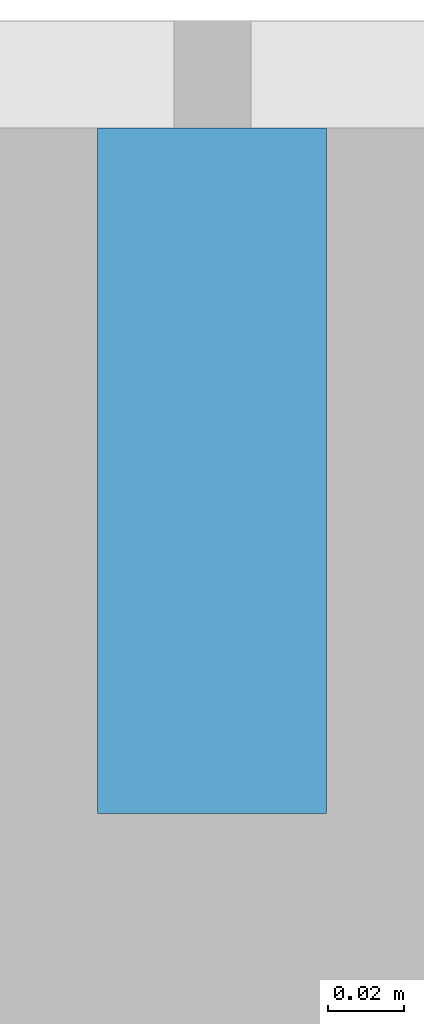
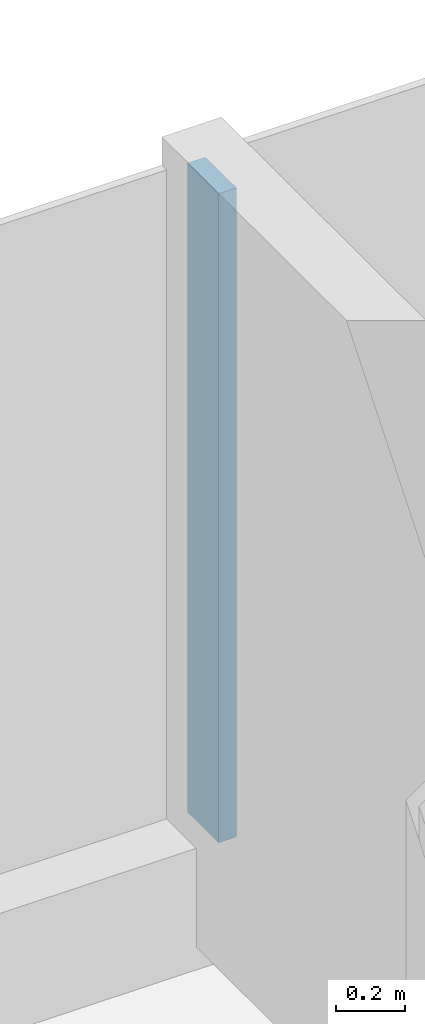
# One storey, part 8 of 26: 1 member, 1 element without a shape of its own.
"""IFC4 building model written with IfcOpenShell, lengths in metres."""

from ifc_helpers import new_model, si_unit, direction, frame, origin, origin_2d, place, context, subcontext, project, spatial, rectangle, extrude, material, layer, layer_set, material_profile, profile_set, type_object, element, aggregate, save


model = new_model("IFC4")

# Units and contexts
model_context = context("Model", 3, precision=1e-05, world=origin(), true_north=direction((0.0, 1.0)))
body_context = subcontext(model_context, "Body", "Model", "MODEL_VIEW")
ifc_project = project(units=[si_unit("LENGTHUNIT", "METRE"), si_unit("AREAUNIT", "SQUARE_METRE"), si_unit("VOLUMEUNIT", "CUBIC_METRE"), si_unit("PLANEANGLEUNIT", "RADIAN"), si_unit("MASSUNIT", "GRAM", prefix="KILO")], contexts=[model_context])

# Site, building, storey
site_placement = place(None, origin())
site = spatial("IfcSite", under=ifc_project, at=site_placement, CompositionType="ELEMENT")
building_placement = place(site_placement, origin())
building = spatial("IfcBuilding", under=site, at=building_placement, Name="Hakoniwa Tower and Hamabe Station Hall", CompositionType="ELEMENT")
storey_placement = place(building_placement, frame((0.0, 0.0, 143.800048828125)))
storey = spatial("IfcBuildingStorey", under=building, at=storey_placement, Name="L40", CompositionType="ELEMENT", Elevation=143.800048828125)

# Curtain wall, member
ifc_material_1 = material(Name="Dark low-e laminated glass", Category="glass")
ifc_layer = layer(ifc_material_1, 0.199951171875)
ifc_layer_set = layer_set([ifc_layer], Name="CW-1 UNITISED GUEST")
curtain_wall_type = type_object("IfcCurtainWallType", Name="CW-1 UNITISED GUEST", PredefinedType="NOTDEFINED", material=ifc_layer_set)
curtain_wall_placement = place(storey_placement, origin())
curtain_wall = element("IfcCurtainWall", 1, at=curtain_wall_placement, inside=storey, type_object=curtain_wall_type, Name="CW-1 curtain wall", PredefinedType="NOTDEFINED")
ifc_material_2 = material(Name="Aluminium 6063-T5 black anodised", Category="aluminium")
ifc_material_profile = material_profile(ifc_material_2, rectangle(XDim=0.06005859375, YDim=0.179931640625, at=origin_2d()), Name="CW-1 MULLION 60X180")
ifc_profile_set = profile_set([ifc_material_profile], Name="Aluminium 6063-T5 black anodised")
member_type = type_object("IfcMemberType", Name="CW-1 MULLION 60X180", PredefinedType="MULLION", material=ifc_profile_set)
member_placement = place(storey_placement, frame((8.39990234375, 18.181884765625, 0.349853515625), z_axis=(0.0, 0.0, 1.0), x_axis=(-1.0, 0.0, 0.0)))
member = element("IfcMember", 2, at=member_placement, type_object=member_type, Name="CW-1 mullion", PredefinedType="MULLION", context=body_context, shape_type="SweptSolid", body=[
    extrude(rectangle(XDim=0.06005859375, YDim=0.179931640625, at=origin_2d()), origin(), (0.0, 0.0, 1.0), 2.300048828125),
])
aggregate(curtain_wall, [member])

save(model, "model.ifc")
